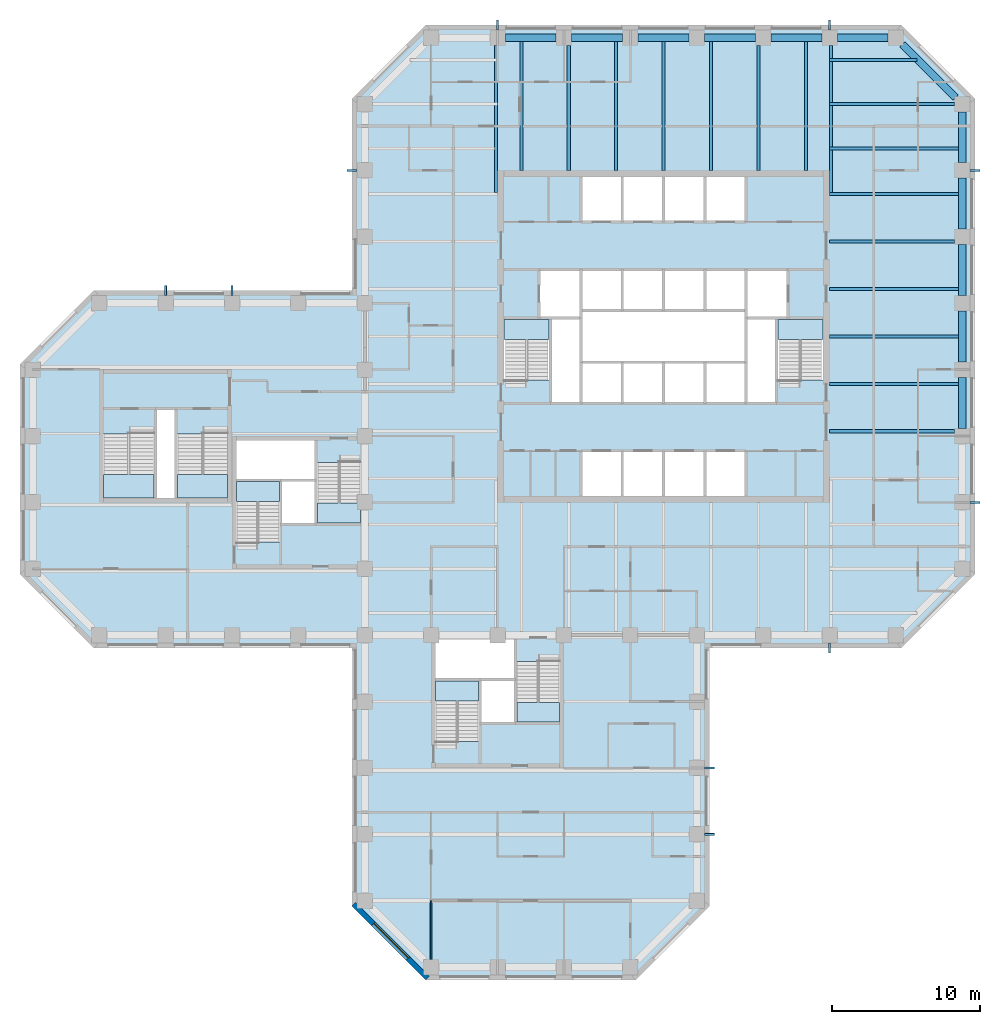
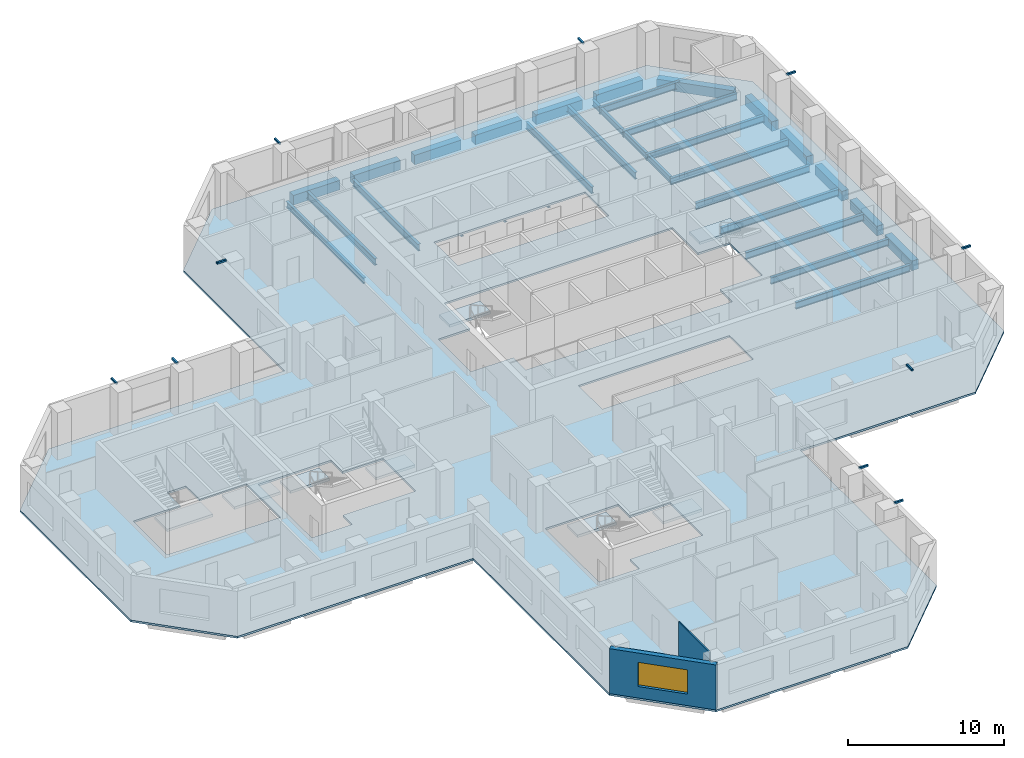
# One storey, part 2 of 11: 40 beams, 9 slabs, 2 walls, 1 window, 1 opening, 8 elements without a shape of their own.
"""IFC4 building model written with IfcOpenShell, lengths in metres."""

import ifcopenshell
import ifcopenshell.guid

model = None  # the IFC model being written
_history = None  # IfcOwnerHistory: only IFC2X3 demands one
_inside = {}  # id of a spatial element -> (the spatial element, [elements in it])
_under = {}  # id of a project, library or spatial element -> (it, [spatial elements below it])
_declared = {}  # id of a project -> (the project, [libraries it declares])
_typed = {}  # id of a type object -> (the type object, [elements of that type])
_made_of = {}  # id of a material, layer set ... -> (it, [elements and type objects made of it])


def new_model(schema):
    """Start an empty IFC model of exactly this schema.

    Asked for "IFC4X3", IfcOpenShell would pick the latest addendum, in which some entities
    have other attributes; the version numbers below select the first issue.
    IFC2X3 requires an IfcOwnerHistory on every rooted entity: one is made here for all.
    """
    global model, _history
    if schema == "IFC4X3":
        model = ifcopenshell.file(schema_version=(4, 3, 0, 0))
    else:
        model = ifcopenshell.file(schema=schema)
    _inside.clear()
    _under.clear()
    _declared.clear()
    _typed.clear()
    _made_of.clear()
    _history = None
    if model.schema == "IFC2X3":
        org = make("IfcOrganization", Name="unknown")
        user = make(
            "IfcPersonAndOrganization",
            ThePerson=make("IfcPerson", FamilyName="unknown"),
            TheOrganization=org,
        )
        app = make(
            "IfcApplication",
            ApplicationDeveloper=org,
            Version="unknown",
            ApplicationFullName="unknown",
            ApplicationIdentifier="unknown",
        )
        _history = make(
            "IfcOwnerHistory",
            OwningUser=user,
            OwningApplication=app,
            ChangeAction="ADDED",
            CreationDate=0,
        )
    return model


def make(cls, **values):
    """One entity of the class cls with the attributes given. An attribute that is None is left unset."""
    return model.create_entity(
        cls, **{name: value for name, value in values.items() if value is not None}
    )


def rooted(cls, **values):
    """An entity with a GlobalId (a new one), such as an element, a storey or a relation."""
    return make(cls, GlobalId=ifcopenshell.guid.new(), OwnerHistory=_history, **values)


def si_unit(unit_type, name, prefix=None):
    """IfcSIUnit, for example si_unit("LENGTHUNIT", "METRE", prefix="MILLI")."""
    return make("IfcSIUnit", UnitType=unit_type, Prefix=prefix, Name=name)


def assignment(units):
    """IfcUnitAssignment: the units of a project."""
    return None if units is None else make("IfcUnitAssignment", Units=units)


def point(xyz):
    """IfcCartesianPoint."""
    return None if xyz is None else make("IfcCartesianPoint", Coordinates=xyz)


def direction(xyz):
    """IfcDirection."""
    return None if xyz is None else make("IfcDirection", DirectionRatios=xyz)


def frame(location, z_axis=None, x_axis=None):
    """IfcAxis2Placement3D, a coordinate frame: its origin and axes. An axis left out is left unset."""
    return make(
        "IfcAxis2Placement3D",
        Location=point(location),
        Axis=direction(z_axis),
        RefDirection=direction(x_axis),
    )


def frame_2d(location, x_axis=None):
    """IfcAxis2Placement2D, a coordinate frame in the plane: its origin and x axis."""
    return make(
        "IfcAxis2Placement2D", Location=point(location), RefDirection=direction(x_axis)
    )


def origin():
    """The frame at (0, 0, 0) with its axes left unset."""
    return frame((0.0, 0.0, 0.0))


def origin_2d():
    """The frame at (0, 0) in the plane with its x axis left unset."""
    return frame_2d((0.0, 0.0))


def place(relative_to, where):
    """IfcLocalPlacement: puts the frame where relative to a parent placement (None: the world)."""
    return make(
        "IfcLocalPlacement", PlacementRelTo=relative_to, RelativePlacement=where
    )


def context(
    kind, dimensions, precision=None, world=None, true_north=None, identifier=None
):
    """IfcGeometricRepresentationContext, for example the 3D "Model" context."""
    return make(
        "IfcGeometricRepresentationContext",
        ContextIdentifier=identifier,
        ContextType=kind,
        CoordinateSpaceDimension=dimensions,
        Precision=precision,
        WorldCoordinateSystem=world,
        TrueNorth=true_north,
    )


def subcontext(parent, identifier, kind, view, scale=None):
    """IfcGeometricRepresentationSubContext, for example "Body" below "Model"."""
    return make(
        "IfcGeometricRepresentationSubContext",
        ContextIdentifier=identifier,
        ContextType=kind,
        ParentContext=parent,
        TargetScale=scale,
        TargetView=view,
    )


def project(units=None, contexts=None):
    """IfcProject with its units and contexts."""
    return rooted(
        "IfcProject",
        Name="project",
        RepresentationContexts=contexts,
        UnitsInContext=assignment(units),
    )


def spatial(cls, under=None, at=None, **own):
    """A site, building, storey or space (cls), placed at a placement, below another one or the project."""
    s = rooted(cls, ObjectPlacement=at, **own)
    if under is not None:
        _under.setdefault(under.id(), (under, []))[1].append(s)
    return s


def polyline(points):
    """IfcPolyline through the points."""
    return make("IfcPolyline", Points=[point(p) for p in points])


def profile(cls, at=None, kind="AREA", **sizes):
    """A parametric profile (cls). Its sizes go by their IFC names, for example OverallWidth=200.0."""
    return make(cls, ProfileType=kind, Position=at, **sizes)


def rectangle(**sizes):
    """IfcRectangleProfileDef."""
    return profile("IfcRectangleProfileDef", **sizes)


def hollow_rectangle(**sizes):
    """IfcRectangleHollowProfileDef."""
    return profile("IfcRectangleHollowProfileDef", **sizes)


def i_section(**sizes):
    """IfcIShapeProfileDef."""
    return profile("IfcIShapeProfileDef", **sizes)


def outline(outer, holes=None, kind="AREA"):
    """IfcArbitraryClosedProfileDef: a profile drawn as a closed curve; with holes, ...WithVoids."""
    if holes is None:
        return make("IfcArbitraryClosedProfileDef", ProfileType=kind, OuterCurve=outer)
    return make(
        "IfcArbitraryProfileDefWithVoids",
        ProfileType=kind,
        OuterCurve=outer,
        InnerCurves=holes,
    )


def extrude(swept, where, along, depth):
    """IfcExtrudedAreaSolid: the profile swept, set in the frame where, extruded along a direction by depth."""
    return make(
        "IfcExtrudedAreaSolid",
        SweptArea=swept,
        Position=where,
        ExtrudedDirection=direction(along),
        Depth=depth,
    )


def shape(context_of_items, identifier, shape_type, items):
    """IfcShapeRepresentation: the items that make up one representation, for example the "Body"."""
    return make(
        "IfcShapeRepresentation",
        ContextOfItems=context_of_items,
        RepresentationIdentifier=identifier,
        RepresentationType=shape_type,
        Items=items,
    )


def material(Name=None, Category=None):
    """IfcMaterial."""
    return make("IfcMaterial", Name=Name, Category=Category)


def layer(
    of_material, thickness, ventilated=None, Name=None, Category=None, Priority=None
):
    """IfcMaterialLayer: one layer of a wall or slab, of a material (None: an air gap)."""
    return make(
        "IfcMaterialLayer",
        Material=of_material,
        LayerThickness=thickness,
        IsVentilated=ventilated,
        Name=Name,
        Category=Category,
        Priority=Priority,
    )


def layer_set(layers, Name=None):
    """IfcMaterialLayerSet."""
    return make("IfcMaterialLayerSet", MaterialLayers=layers, LayerSetName=Name)


def constituent(of_material, Name=None, Category=None, fraction=None):
    """IfcMaterialConstituent: one of the materials an element consists of."""
    return make(
        "IfcMaterialConstituent",
        Name=Name,
        Material=of_material,
        Fraction=fraction,
        Category=Category,
    )


def constituent_set(constituents=None, Name=None):
    """IfcMaterialConstituentSet."""
    return make(
        "IfcMaterialConstituentSet", Name=Name, MaterialConstituents=constituents
    )


def material_profile(
    of_material, cross_section, Name=None, Category=None, Priority=None
):
    """IfcMaterialProfile: a cross section and its material."""
    return make(
        "IfcMaterialProfile",
        Name=Name,
        Material=of_material,
        Profile=cross_section,
        Priority=Priority,
        Category=Category,
    )


def profile_set(profiles, Name=None, composite=None):
    """IfcMaterialProfileSet."""
    return make(
        "IfcMaterialProfileSet",
        Name=Name,
        MaterialProfiles=profiles,
        CompositeProfile=composite,
    )


def made_of(thing, what):
    """Note that an element or type object is made of a material, layer set ...; save() writes the relation."""
    if what is not None:
        _made_of.setdefault(what.id(), (what, []))[1].append(thing)
    return thing


def type_object(cls, material=None, **own):
    """A type object (cls), such as IfcWallType, which elements share."""
    return made_of(rooted(cls, **own), material)


def element(
    cls,
    number,
    at=None,
    inside=None,
    cuts=None,
    type_object=None,
    material=None,
    context=None,
    identifier="Body",
    shape_type=None,
    held_by="IfcProductDefinitionShape",
    body=None,
    shapes=None,
    **own,
):
    """One element of the class cls, such as IfcWall. Its Tag is "e" and its number.

    at: its placement. inside: the storey or other place that contains it. cuts: it is an
    opening in that element (IfcRelVoidsElement). A single representation is given by context,
    identifier, shape_type and body (its items); several are given by shapes. held_by: the class
    of the entity that holds the representations. save() writes the other relations.
    """
    e = rooted(cls, Tag="e%d" % number, ObjectPlacement=at, **own)
    if body is not None:
        shapes = [shape(context, identifier, shape_type, body)]
    if shapes is not None:
        e.Representation = make(held_by, Representations=shapes)
    if inside is not None:
        _inside.setdefault(inside.id(), (inside, []))[1].append(e)
    if cuts is not None:
        rooted(
            "IfcRelVoidsElement", RelatingBuildingElement=cuts, RelatedOpeningElement=e
        )
    if type_object is not None:
        _typed.setdefault(type_object.id(), (type_object, []))[1].append(e)
    return made_of(e, material)


def fill(opening, filler):
    """IfcRelFillsElement: the door or window that sits in an opening."""
    return rooted(
        "IfcRelFillsElement",
        RelatingOpeningElement=opening,
        RelatedBuildingElement=filler,
    )


def aggregate(whole, parts):
    """IfcRelAggregates: a whole, such as a stair, and the parts it consists of."""
    return rooted("IfcRelAggregates", RelatingObject=whole, RelatedObjects=parts)


def save(model, path):
    """Write the relations noted so far, then the file.

    IfcRelAggregates (storeys below a building ...), IfcRelContainedInSpatialStructure (elements
    in a storey), IfcRelDefinesByType, IfcRelAssociatesMaterial and IfcRelDeclares: one each for
    every whole, place, type object, material and project.
    """
    for whole, parts in _under.values():
        aggregate(whole, parts)
    for where, things in _inside.values():
        rooted(
            "IfcRelContainedInSpatialStructure",
            RelatedElements=things,
            RelatingStructure=where,
        )
    for kind, things in _typed.values():
        rooted("IfcRelDefinesByType", RelatedObjects=things, RelatingType=kind)
    for what, things in _made_of.values():
        rooted("IfcRelAssociatesMaterial", RelatedObjects=things, RelatingMaterial=what)
    for by, libraries in _declared.values():
        rooted("IfcRelDeclares", RelatingContext=by, RelatedDefinitions=libraries)
    model.write(path)


model = new_model("IFC4")

# Units and contexts
model_context = context("Model", 3, precision=1e-05, world=origin(), true_north=direction((0.0, 1.0)))
body_context = subcontext(model_context, "Body", "Model", "MODEL_VIEW")
ifc_project = project(units=[si_unit("LENGTHUNIT", "METRE"), si_unit("AREAUNIT", "SQUARE_METRE"), si_unit("VOLUMEUNIT", "CUBIC_METRE"), si_unit("PLANEANGLEUNIT", "RADIAN"), si_unit("MASSUNIT", "GRAM", prefix="KILO")], contexts=[model_context])

# Site, building, storey
site_placement = place(None, origin())
site = spatial("IfcSite", under=ifc_project, at=site_placement, CompositionType="ELEMENT")
building_placement = place(site_placement, origin())
building = spatial("IfcBuilding", under=site, at=building_placement, Name="Quoin Convention Tower", CompositionType="ELEMENT")
storey_placement = place(building_placement, frame((0.0, 0.0, 78.89990234375)))
storey = spatial("IfcBuildingStorey", under=building, at=storey_placement, Name="L20", CompositionType="ELEMENT", Elevation=78.89990234375)

# Beams
ifc_material_1 = material(Name="Steel C450L0", Category="steel")
ifc_material_profile_1 = material_profile(ifc_material_1, hollow_rectangle(XDim=0.14990234375, YDim=0.14990234375, WallThickness=0.008056640625, InnerFilletRadius=0.011962890625, OuterFilletRadius=0.02001953125, at=origin_2d()), Name="150x150x8.0SHS")
ifc_profile_set_1 = profile_set([ifc_material_profile_1], Name="Steel C450L0")
beam_type_1 = type_object("IfcBeamType", Name="150x150x8.0SHS", PredefinedType="BEAM", material=ifc_profile_set_1)
for number, where, z_axis, x_axis, name in (
    (1, (27.0, 63.52490234375, 3.625), (0.0, 1.0, 0.0), (-1.0, 0.0, 0.0), "brk-hi-L17-31500_63000-27000_63000"),
    (2, (22.5, 63.52490234375, 3.625), (0.0, 1.0, 0.0), (-1.0, 0.0, 0.0), "brk-hi-L17-22500_63000-18000_63000"),
    (3, (35.47509765625, 72.0, 3.625), (-1.0, 0.0, 0.0), (0.0, -1.0, 0.0), "brk-hi-L17-36000_76500-36000_72000"),
    (4, (59.02490234375, 27.0, 3.625), (1.0, 0.0, 0.0), (0.0, 1.0, 0.0), "brk-hi-L17-58500_22500-58500_27000"),
    (5, (59.02490234375, 31.5, 3.625), (1.0, 0.0, 0.0), (0.0, 1.0, 0.0), "brk-hi-L17-58500_31500-58500_36000"),
    (6, (67.5, 39.97509765625, 3.625), (0.0, -1.0, 0.0), (1.0, 0.0, 0.0), "brk-hi-L17-63000_40500-67500_40500"),
    (7, (67.5, 81.52490234375, 3.625), (0.0, 1.0, 0.0), (-1.0, 0.0, 0.0), "brk-hi-L17-72000_81000-67500_81000"),
    (8, (45.0, 81.52490234375, 3.625), (0.0, 1.0, 0.0), (-1.0, 0.0, 0.0), "brk-hi-L17-45000_81000-40500_81000"),
    (9, (77.02490234375, 49.5, 3.625), (1.0, 0.0, 0.0), (0.0, 1.0, 0.0), "brk-hi-L17-76500_45000-76500_49500"),
    (10, (77.02490234375, 72.0, 3.625), (1.0, 0.0, 0.0), (0.0, 1.0, 0.0), "brk-hi-L17-76500_72000-76500_76500"),
):
    element("IfcBeam", number, at=place(storey_placement, frame(where, z_axis=z_axis, x_axis=x_axis)), inside=storey, type_object=beam_type_1, Name=name, PredefinedType="BEAM", context=body_context, shape_type="SweptSolid", body=[
        extrude(hollow_rectangle(XDim=0.14990234375, YDim=0.14990234375, WallThickness=0.008056640625, InnerFilletRadius=0.011962890625, OuterFilletRadius=0.02001953125, at=origin_2d()), origin(), (0.0, 0.0, 1.0), 0.675048828125),
    ])
ifc_material_2 = material(Name="Steel Grade 300", Category="steel")
ifc_material_profile_2 = material_profile(ifc_material_2, i_section(OverallWidth=0.18994140625, OverallDepth=0.4541015625, WebThickness=0.008544921875, FlangeThickness=0.0126953125, FilletRadius=0.011474609375, at=origin_2d()), Name="460UB67.1")
ifc_profile_set_2 = profile_set([ifc_material_profile_2], Name="Steel Grade 300")
beam_type_2 = type_object("IfcBeamType", Name="460UB67.1", PredefinedType="BEAM", material=ifc_profile_set_2)
for number, where, z_axis, x_axis, name in (
    (11, (44.8955078125, 80.47509765625, -0.376953125), (0.0, -1.0, 0.0), (1.0, 0.0, 0.0), "gir-L20-T1NW"),
    (12, (67.6044921875, 80.47509765625, -0.376953125), (0.0, -1.0, 0.0), (1.0, 0.0, 0.0), "gir-L20-T1NE"),
):
    element("IfcBeam", number, at=place(storey_placement, frame(where, z_axis=z_axis, x_axis=x_axis)), inside=storey, type_object=beam_type_2, Name=name, PredefinedType="BEAM", context=body_context, shape_type="SweptSolid", body=[
        extrude(i_section(OverallWidth=0.18994140625, OverallDepth=0.4541015625, WebThickness=0.008544921875, FlangeThickness=0.0126953125, FilletRadius=0.011474609375, at=origin_2d()), origin(), (0.0, 0.0, 1.0), 9.977783203125),
    ])
ifc_material_profile_3 = material_profile(ifc_material_2, i_section(OverallWidth=0.208984375, OverallDepth=0.528076171875, WebThickness=0.009521484375, FlangeThickness=0.01318359375, FilletRadius=0.013916015625, at=origin_2d()), Name="530UB82.0")
ifc_profile_set_3 = profile_set([ifc_material_profile_3], Name="Steel Grade 300")
beam_type_3 = type_object("IfcBeamType", Name="530UB82.0", PredefinedType="BEAM", material=ifc_profile_set_3)
beam_1_placement = place(storey_placement, frame((67.5, 54.3212890625, -0.413818359375), z_axis=(1.0, 0.0, 0.0), x_axis=(0.0, 1.0, 0.0)))
element("IfcBeam", 13, at=beam_1_placement, inside=storey, type_object=beam_type_3, Name="bm-L20-T1E1", PredefinedType="BEAM", context=body_context, shape_type="SweptSolid", body=[
    extrude(i_section(OverallWidth=0.208984375, OverallDepth=0.528076171875, WebThickness=0.009521484375, FlangeThickness=0.01318359375, FilletRadius=0.013916015625, at=origin_2d()), origin(), (0.0, 0.0, 1.0), 8.47509765625),
])
for number, where, z_axis, x_axis, name in (
    (14, (67.5, 57.53564453125, -0.413818359375), (1.0, 0.0, 0.0), (0.0, 1.0, 0.0), "bm-L20-T1E2"),
    (15, (67.5, 60.75, -0.413818359375), (1.0, 0.0, 0.0), (0.0, 1.0, 0.0), "bm-L20-T1E3"),
    (16, (67.5, 63.96435546875, -0.413818359375), (1.0, 0.0, 0.0), (0.0, 1.0, 0.0), "bm-L20-T1E4"),
):
    element("IfcBeam", number, at=place(storey_placement, frame(where, z_axis=z_axis, x_axis=x_axis)), inside=storey, type_object=beam_type_3, Name=name, PredefinedType="BEAM", context=body_context, shape_type="SweptSolid", body=[
        extrude(i_section(OverallWidth=0.208984375, OverallDepth=0.528076171875, WebThickness=0.009521484375, FlangeThickness=0.01318359375, FilletRadius=0.013916015625, at=origin_2d()), origin(), (0.0, 0.0, 1.0), 8.75),
    ])
beam_2_placement = place(storey_placement, frame((67.5, 67.1787109375, -0.413818359375), z_axis=(1.0, 0.0, 0.0), x_axis=(0.0, 1.0, 0.0)))
element("IfcBeam", 17, at=beam_2_placement, inside=storey, type_object=beam_type_3, Name="bm-L20-T1E5", PredefinedType="BEAM", context=body_context, shape_type="SweptSolid", body=[
    extrude(i_section(OverallWidth=0.208984375, OverallDepth=0.528076171875, WebThickness=0.009521484375, FlangeThickness=0.01318359375, FilletRadius=0.013916015625, at=origin_2d()), origin(), (0.0, 0.0, 1.0), 8.47509765625),
])
for number, where, z_axis, x_axis, name in (
    (18, (67.5, 70.392822265625, -0.413818359375), (1.0, 0.0, 0.0), (0.0, 1.0, 0.0), "bm-L20-T1E6"),
    (19, (46.607177734375, 72.0, -0.413818359375), (0.0, 1.0, 0.0), (-1.0, 0.0, 0.0), "bm-L20-T1N0"),
):
    element("IfcBeam", number, at=place(storey_placement, frame(where, z_axis=z_axis, x_axis=x_axis)), inside=storey, type_object=beam_type_3, Name=name, PredefinedType="BEAM", context=body_context, shape_type="SweptSolid", body=[
        extrude(i_section(OverallWidth=0.208984375, OverallDepth=0.528076171875, WebThickness=0.009521484375, FlangeThickness=0.01318359375, FilletRadius=0.013916015625, at=origin_2d()), origin(), (0.0, 0.0, 1.0), 8.75),
    ])
beam_3_placement = place(storey_placement, frame((49.8212890625, 72.0, -0.413818359375), z_axis=(0.0, 1.0, 0.0), x_axis=(-1.0, 0.0, 0.0)))
element("IfcBeam", 20, at=beam_3_placement, inside=storey, type_object=beam_type_3, Name="bm-L20-T1N1", PredefinedType="BEAM", context=body_context, shape_type="SweptSolid", body=[
    extrude(i_section(OverallWidth=0.208984375, OverallDepth=0.528076171875, WebThickness=0.009521484375, FlangeThickness=0.01318359375, FilletRadius=0.013916015625, at=origin_2d()), origin(), (0.0, 0.0, 1.0), 8.47509765625),
])
for number, where, z_axis, x_axis, name in (
    (21, (53.03564453125, 72.0, -0.413818359375), (0.0, 1.0, 0.0), (-1.0, 0.0, 0.0), "bm-L20-T1N2"),
    (22, (56.25, 72.0, -0.413818359375), (0.0, 1.0, 0.0), (-1.0, 0.0, 0.0), "bm-L20-T1N3"),
    (23, (59.46435546875, 72.0, -0.413818359375), (0.0, 1.0, 0.0), (-1.0, 0.0, 0.0), "bm-L20-T1N4"),
):
    element("IfcBeam", number, at=place(storey_placement, frame(where, z_axis=z_axis, x_axis=x_axis)), inside=storey, type_object=beam_type_3, Name=name, PredefinedType="BEAM", context=body_context, shape_type="SweptSolid", body=[
        extrude(i_section(OverallWidth=0.208984375, OverallDepth=0.528076171875, WebThickness=0.009521484375, FlangeThickness=0.01318359375, FilletRadius=0.013916015625, at=origin_2d()), origin(), (0.0, 0.0, 1.0), 8.75),
    ])
beam_4_placement = place(storey_placement, frame((62.6787109375, 72.0, -0.413818359375), z_axis=(0.0, 1.0, 0.0), x_axis=(-1.0, 0.0, 0.0)))
element("IfcBeam", 24, at=beam_4_placement, inside=storey, type_object=beam_type_3, Name="bm-L20-T1N5", PredefinedType="BEAM", context=body_context, shape_type="SweptSolid", body=[
    extrude(i_section(OverallWidth=0.208984375, OverallDepth=0.528076171875, WebThickness=0.009521484375, FlangeThickness=0.01318359375, FilletRadius=0.013916015625, at=origin_2d()), origin(), (0.0, 0.0, 1.0), 8.47509765625),
])
beam_5_placement = place(storey_placement, frame((65.892822265625, 72.0, -0.413818359375), z_axis=(0.0, 1.0, 0.0), x_axis=(-1.0, 0.0, 0.0)))
element("IfcBeam", 25, at=beam_5_placement, inside=storey, type_object=beam_type_3, Name="bm-L20-T1N6", PredefinedType="BEAM", context=body_context, shape_type="SweptSolid", body=[
    extrude(i_section(OverallWidth=0.208984375, OverallDepth=0.528076171875, WebThickness=0.009521484375, FlangeThickness=0.01318359375, FilletRadius=0.013916015625, at=origin_2d()), origin(), (0.0, 0.0, 1.0), 8.75),
])
beam_6_placement = place(storey_placement, frame((67.5, 79.5, -0.413818359375), z_axis=(1.0, 0.0, 0.0), x_axis=(0.0, 1.0, 0.0)))
element("IfcBeam", 26, at=beam_6_placement, inside=storey, type_object=beam_type_3, Name="bm-L20-T1NE0", PredefinedType="BEAM", context=body_context, shape_type="SweptSolid", body=[
    extrude(i_section(OverallWidth=0.208984375, OverallDepth=0.528076171875, WebThickness=0.009521484375, FlangeThickness=0.01318359375, FilletRadius=0.013916015625, at=origin_2d()), origin(), (0.0, 0.0, 1.0), 5.927734375),
])
beam_7_placement = place(storey_placement, frame((67.5, 76.5, -0.413818359375), z_axis=(1.0, 0.0, 0.0), x_axis=(0.0, 1.0, 0.0)))
element("IfcBeam", 27, at=beam_7_placement, inside=storey, type_object=beam_type_3, Name="bm-L20-T1NE1", PredefinedType="BEAM", context=body_context, shape_type="SweptSolid", body=[
    extrude(i_section(OverallWidth=0.208984375, OverallDepth=0.528076171875, WebThickness=0.009521484375, FlangeThickness=0.01318359375, FilletRadius=0.013916015625, at=origin_2d()), origin(), (0.0, 0.0, 1.0), 8.47509765625),
])
beam_8_placement = place(storey_placement, frame((67.5, 73.5, -0.413818359375), z_axis=(1.0, 0.0, 0.0), x_axis=(0.0, 1.0, 0.0)))
element("IfcBeam", 28, at=beam_8_placement, inside=storey, type_object=beam_type_3, Name="bm-L20-T1NE2", PredefinedType="BEAM", context=body_context, shape_type="SweptSolid", body=[
    extrude(i_section(OverallWidth=0.208984375, OverallDepth=0.528076171875, WebThickness=0.009521484375, FlangeThickness=0.01318359375, FilletRadius=0.013916015625, at=origin_2d()), origin(), (0.0, 0.0, 1.0), 8.75),
])
ifc_material_3 = material(Name="Concrete C65", Category="concrete")
ifc_material_profile_4 = material_profile(ifc_material_3, rectangle(XDim=0.5, YDim=0.75, at=origin_2d()), Name="RC 500x750")
ifc_profile_set_4 = profile_set([ifc_material_profile_4], Name="Concrete C65")
beam_type_4 = type_object("IfcBeamType", Name="RC 500x750 C65", PredefinedType="SPANDREL", material=ifc_profile_set_4)
for number, where, z_axis, x_axis, name in (
    (29, (76.5, 54.52490234375, -0.52490234375), (0.0, 1.0, 0.0), (-1.0, 0.0, 0.0), "spd-L20-76500_54000-76500_58500"),
    (30, (76.5, 59.02490234375, -0.52490234375), (0.0, 1.0, 0.0), (-1.0, 0.0, 0.0), "spd-L20-76500_58500-76500_63000"),
    (31, (76.5, 63.52490234375, -0.52490234375), (0.0, 1.0, 0.0), (-1.0, 0.0, 0.0), "spd-L20-76500_63000-76500_67500"),
    (32, (76.5, 68.02490234375, -0.52490234375), (0.0, 1.0, 0.0), (-1.0, 0.0, 0.0), "spd-L20-76500_67500-76500_72000"),
    (33, (76.5, 72.52490234375, -0.52490234375), (0.0, 1.0, 0.0), (-1.0, 0.0, 0.0), "spd-L20-76500_72000-76500_76500"),
):
    element("IfcBeam", number, at=place(storey_placement, frame(where, z_axis=z_axis, x_axis=x_axis)), inside=storey, type_object=beam_type_4, Name=name, PredefinedType="SPANDREL", context=body_context, shape_type="SweptSolid", body=[
        extrude(rectangle(XDim=0.5, YDim=0.75, at=origin_2d()), origin(), (0.0, 0.0, 1.0), 3.4501953125),
    ])
beam_9_placement = place(storey_placement, frame((76.059814453125, 76.940185546875, -0.52490234375), z_axis=(-0.707106781187, 0.707106781187, 0.0), x_axis=(-0.707106781187, -0.707106781187, 0.0)))
element("IfcBeam", 34, at=beam_9_placement, inside=storey, type_object=beam_type_4, Name="spd-L20-76500_76500-72000_81000", PredefinedType="SPANDREL", context=body_context, shape_type="SweptSolid", body=[
    extrude(rectangle(XDim=0.5, YDim=0.75, at=origin_2d()), origin(), (0.0, 0.0, 1.0), 5.118896484375),
])
for number, where, z_axis, x_axis, name in (
    (35, (71.47509765625, 81.0, -0.52490234375), (-1.0, 0.0, 0.0), (0.0, -1.0, 0.0), "spd-L20-72000_81000-67500_81000"),
    (36, (66.97509765625, 81.0, -0.52490234375), (-1.0, 0.0, 0.0), (0.0, -1.0, 0.0), "spd-L20-67500_81000-63000_81000"),
    (37, (62.47509765625, 81.0, -0.52490234375), (-1.0, 0.0, 0.0), (0.0, -1.0, 0.0), "spd-L20-63000_81000-58500_81000"),
    (38, (57.97509765625, 81.0, -0.52490234375), (-1.0, 0.0, 0.0), (0.0, -1.0, 0.0), "spd-L20-58500_81000-54000_81000"),
    (39, (53.47509765625, 81.0, -0.52490234375), (-1.0, 0.0, 0.0), (0.0, -1.0, 0.0), "spd-L20-54000_81000-49500_81000"),
    (40, (48.97509765625, 81.0, -0.52490234375), (-1.0, 0.0, 0.0), (0.0, -1.0, 0.0), "spd-L20-49500_81000-45000_81000"),
):
    element("IfcBeam", number, at=place(storey_placement, frame(where, z_axis=z_axis, x_axis=x_axis)), inside=storey, type_object=beam_type_4, Name=name, PredefinedType="SPANDREL", context=body_context, shape_type="SweptSolid", body=[
        extrude(rectangle(XDim=0.5, YDim=0.75, at=origin_2d()), origin(), (0.0, 0.0, 1.0), 3.4501953125),
    ])

# Slab
ifc_material_4 = material(Name="Concrete C40", Category="concrete")
ifc_layer_1 = layer(ifc_material_4, 0.14990234375)
ifc_layer_set_1 = layer_set([ifc_layer_1], Name="Concrete C40")
slab_type_1 = type_object("IfcSlabType", Name="COMPOSITE SLAB 150 C40", PredefinedType="FLOOR", material=ifc_layer_set_1)
slab_1_placement = place(storey_placement, frame((0.0, 0.0, -0.14990234375)))
element("IfcSlab", 41, at=slab_1_placement, inside=storey, type_object=slab_type_1, Name="slb-L20", PredefinedType="FLOOR", context=body_context, shape_type="SweptSolid", body=[
    extrude(outline(polyline([(59.375, 22.1376953125), (54.3623046875, 17.125), (40.1376953125, 17.125), (35.125, 22.1376953125), (35.125, 39.625), (17.6376953125, 39.625), (12.625, 44.6376953125), (12.625, 58.8623046875), (17.6376953125, 63.875), (35.125, 63.875), (35.125, 76.8623046875), (40.1376953125, 81.875), (72.3623046875, 81.875), (77.375, 76.8623046875), (77.375, 44.6376953125), (72.3623046875, 39.625), (59.375, 39.625), (59.375, 22.1376953125)]), holes=[polyline([(40.800048828125, 40.199951171875), (40.800048828125, 37.5), (40.800048828125, 33.300537109375), (43.800048828125, 33.300537109375), (43.800048828125, 34.5), (46.199951171875, 34.5), (49.199951171875, 34.5), (49.199951171875, 38.699462890625), (46.199951171875, 38.699462890625), (46.199951171875, 40.199951171875), (40.800048828125, 40.199951171875)]), polyline([(35.699951171875, 52.199462890625), (32.699951171875, 52.199462890625), (32.699951171875, 53.699951171875), (27.300048828125, 53.699951171875), (27.300048828125, 51.0), (27.300048828125, 46.800537109375), (30.300048828125, 46.800537109375), (30.300048828125, 48.0), (32.699951171875, 48.0), (35.699951171875, 48.0), (35.699951171875, 52.199462890625)]), polyline([(53.449951171875, 49.949951171875), (56.25, 49.949951171875), (59.050048828125, 49.949951171875), (61.85009765625, 49.949951171875), (61.85009765625, 53.0), (59.050048828125, 53.0), (56.25, 53.0), (53.449951171875, 53.0), (50.64990234375, 53.0), (50.64990234375, 49.949951171875), (53.449951171875, 49.949951171875)]), polyline([(21.800048828125, 55.85009765625), (21.800048828125, 54.1494140625), (18.300048828125, 54.1494140625), (18.300048828125, 49.800048828125), (21.800048828125, 49.800048828125), (23.199951171875, 49.800048828125), (26.699951171875, 49.800048828125), (26.699951171875, 54.1494140625), (23.199951171875, 54.1494140625), (23.199951171875, 55.85009765625), (21.800048828125, 55.85009765625)]), polyline([(48.60009765625, 57.800537109375), (48.60009765625, 56.199951171875), (50.64990234375, 56.199951171875), (53.449951171875, 56.199951171875), (56.25, 56.199951171875), (59.050048828125, 56.199951171875), (61.85009765625, 56.199951171875), (63.89990234375, 56.199951171875), (63.89990234375, 57.800537109375), (67.050048828125, 57.800537109375), (67.050048828125, 62.0), (64.699951171875, 62.0), (64.699951171875, 65.300048828125), (61.85009765625, 65.300048828125), (59.050048828125, 65.300048828125), (56.25, 65.300048828125), (53.449951171875, 65.300048828125), (50.64990234375, 65.300048828125), (47.800048828125, 65.300048828125), (47.800048828125, 62.0), (45.449951171875, 62.0), (45.449951171875, 57.800537109375), (48.60009765625, 57.800537109375)]), polyline([(50.64990234375, 68.5), (53.449951171875, 68.5), (56.25, 68.5), (59.050048828125, 68.5), (61.85009765625, 68.5), (61.85009765625, 71.550048828125), (59.050048828125, 71.550048828125), (56.25, 71.550048828125), (53.449951171875, 71.550048828125), (50.64990234375, 71.550048828125), (50.64990234375, 68.5)])]), origin(), (0.0, 0.0, 1.0), 0.14990234375),
])

# Stair, slab
stair_type_1 = type_object("IfcStairType", Name="Exit stair two-flight 1350", PredefinedType="HALF_TURN_STAIR", material=ifc_material_4)
stair_1_placement = place(storey_placement, origin())
stair_1 = element("IfcStair", 42, at=stair_1_placement, inside=storey, type_object=stair_type_1, Name="SD1 L20", PredefinedType="HALF_TURN_STAIR")
ifc_layer_2 = layer(ifc_material_4, 0.199951171875)
ifc_layer_set_2 = layer_set([ifc_layer_2], Name="Concrete C40")
slab_type_2 = type_object("IfcSlabType", Name="Stair landing 200", PredefinedType="LANDING", material=ifc_layer_set_2)
slab_2_placement = place(storey_placement, frame((0.0, 0.0, 1.79248046875)))
slab_2 = element("IfcSlab", 43, at=slab_2_placement, type_object=slab_type_2, Name="ST1 landing 1", PredefinedType="LANDING", context=body_context, shape_type="SweptSolid", body=[
    extrude(outline(polyline([(45.449951171875, 60.550048828125), (48.5, 60.550048828125), (48.5, 61.89990234375), (45.449951171875, 61.89990234375), (45.449951171875, 60.550048828125)])), origin(), (0.0, 0.0, 1.0), 0.199951171875),
])
aggregate(stair_1, [slab_2])

stair_2_placement = place(storey_placement, origin())
stair_2 = element("IfcStair", 44, at=stair_2_placement, inside=storey, type_object=stair_type_1, Name="SD2 L20", PredefinedType="HALF_TURN_STAIR")
slab_3_placement = place(storey_placement, frame((0.0, 0.0, 1.79248046875)))
slab_3 = element("IfcSlab", 45, at=slab_3_placement, type_object=slab_type_2, Name="ST2 landing 1", PredefinedType="LANDING", context=body_context, shape_type="SweptSolid", body=[
    extrude(outline(polyline([(64.0, 60.550048828125), (67.050048828125, 60.550048828125), (67.050048828125, 61.89990234375), (64.0, 61.89990234375), (64.0, 60.550048828125)])), origin(), (0.0, 0.0, 1.0), 0.199951171875),
])
aggregate(stair_2, [slab_3])

stair_3_placement = place(storey_placement, origin())
stair_3 = element("IfcStair", 46, at=stair_3_placement, inside=storey, type_object=stair_type_1, Name="SD3 L20", PredefinedType="HALF_TURN_STAIR")
slab_4_placement = place(storey_placement, frame((0.0, 0.0, 1.79248046875)))
slab_4 = element("IfcSlab", 47, at=slab_4_placement, type_object=slab_type_2, Name="ST3 landing 1", PredefinedType="LANDING", context=body_context, shape_type="SweptSolid", body=[
    extrude(outline(polyline([(27.300048828125, 49.550048828125), (30.199951171875, 49.550048828125), (30.199951171875, 50.89990234375), (27.300048828125, 50.89990234375), (27.300048828125, 49.550048828125)])), origin(), (0.0, 0.0, 1.0), 0.199951171875),
])
aggregate(stair_3, [slab_4])

stair_4_placement = place(storey_placement, origin())
stair_4 = element("IfcStair", 48, at=stair_4_placement, inside=storey, type_object=stair_type_1, Name="SD4 L20", PredefinedType="HALF_TURN_STAIR")
slab_5_placement = place(storey_placement, frame((0.0, 0.0, 1.79248046875)))
slab_5 = element("IfcSlab", 49, at=slab_5_placement, type_object=slab_type_2, Name="ST4 landing 1", PredefinedType="LANDING", context=body_context, shape_type="SweptSolid", body=[
    extrude(outline(polyline([(35.699951171875, 49.449951171875), (32.800048828125, 49.449951171875), (32.800048828125, 48.10009765625), (35.699951171875, 48.10009765625), (35.699951171875, 49.449951171875)])), origin(), (0.0, 0.0, 1.0), 0.199951171875),
])
aggregate(stair_4, [slab_5])

stair_5_placement = place(storey_placement, origin())
stair_5 = element("IfcStair", 50, at=stair_5_placement, inside=storey, type_object=stair_type_1, Name="SD5 L20", PredefinedType="HALF_TURN_STAIR")
slab_6_placement = place(storey_placement, frame((0.0, 0.0, 1.79248046875)))
slab_6 = element("IfcSlab", 51, at=slab_6_placement, type_object=slab_type_2, Name="ST5 landing 1", PredefinedType="LANDING", context=body_context, shape_type="SweptSolid", body=[
    extrude(outline(polyline([(40.800048828125, 36.050048828125), (43.699951171875, 36.050048828125), (43.699951171875, 37.39990234375), (40.800048828125, 37.39990234375), (40.800048828125, 36.050048828125)])), origin(), (0.0, 0.0, 1.0), 0.199951171875),
])
aggregate(stair_5, [slab_6])

stair_6_placement = place(storey_placement, origin())
stair_6 = element("IfcStair", 52, at=stair_6_placement, inside=storey, type_object=stair_type_1, Name="SD6 L20", PredefinedType="HALF_TURN_STAIR")
slab_7_placement = place(storey_placement, frame((0.0, 0.0, 1.79248046875)))
slab_7 = element("IfcSlab", 53, at=slab_7_placement, type_object=slab_type_2, Name="ST6 landing 1", PredefinedType="LANDING", context=body_context, shape_type="SweptSolid", body=[
    extrude(outline(polyline([(49.199951171875, 35.949951171875), (46.300048828125, 35.949951171875), (46.300048828125, 34.60009765625), (49.199951171875, 34.60009765625), (49.199951171875, 35.949951171875)])), origin(), (0.0, 0.0, 1.0), 0.199951171875),
])
aggregate(stair_6, [slab_7])

stair_type_2 = type_object("IfcStairType", Name="Exit stair two-flight 1600", PredefinedType="HALF_TURN_STAIR", material=ifc_material_4)
stair_7_placement = place(storey_placement, origin())
stair_7 = element("IfcStair", 54, at=stair_7_placement, inside=storey, type_object=stair_type_2, Name="SD11 L20", PredefinedType="HALF_TURN_STAIR")
slab_8_placement = place(storey_placement, frame((0.0, 0.0, 1.79248046875)))
slab_8 = element("IfcSlab", 55, at=slab_8_placement, type_object=slab_type_2, Name="ST11 landing 1", PredefinedType="LANDING", context=body_context, shape_type="SweptSolid", body=[
    extrude(outline(polyline([(21.699951171875, 51.39990234375), (18.300048828125, 51.39990234375), (18.300048828125, 49.800048828125), (21.699951171875, 49.800048828125), (21.699951171875, 51.39990234375)])), origin(), (0.0, 0.0, 1.0), 0.199951171875),
])
aggregate(stair_7, [slab_8])

stair_8_placement = place(storey_placement, origin())
stair_8 = element("IfcStair", 56, at=stair_8_placement, inside=storey, type_object=stair_type_2, Name="SD12 L20", PredefinedType="HALF_TURN_STAIR")
slab_9_placement = place(storey_placement, frame((0.0, 0.0, 1.79248046875)))
slab_9 = element("IfcSlab", 57, at=slab_9_placement, type_object=slab_type_2, Name="ST12 landing 1", PredefinedType="LANDING", context=body_context, shape_type="SweptSolid", body=[
    extrude(outline(polyline([(26.699951171875, 51.39990234375), (23.300048828125, 51.39990234375), (23.300048828125, 49.800048828125), (26.699951171875, 49.800048828125), (26.699951171875, 51.39990234375)])), origin(), (0.0, 0.0, 1.0), 0.199951171875),
])
aggregate(stair_8, [slab_9])

# Wall, opening, window
ifc_material_5 = material(Name="Brick masonry", Category="masonry")
ifc_layer_3 = layer(ifc_material_5, 0.35009765625)
ifc_layer_set_3 = layer_set([ifc_layer_3], Name="Brick masonry")
wall_type_1 = type_object("IfcWallType", Name="Brick facade wall", PredefinedType="STANDARD", material=ifc_layer_set_3)
wall_1_placement = place(storey_placement, frame((35.248779296875, 22.26123046875, 0.0), z_axis=(0.0, 0.0, 1.0), x_axis=(0.707106781187, -0.707106781187, 0.0)))
wall_1 = element("IfcWall", 58, at=wall_1_placement, inside=storey, type_object=wall_type_1, Name="fw-L20-36000_22500", PredefinedType="STANDARD", context=body_context, shape_type="SweptSolid", body=[
    extrude(rectangle(XDim=7.088623046875, YDim=0.35009765625, at=frame_2d((3.54443359375, 0.0))), origin(), (0.0, 0.0, 1.0), 3.525146484375),
])
opening_placement = place(wall_1_placement, frame((1.894287109375, 0.0, 0.89990234375)))
opening = element("IfcOpeningElement", 59, at=opening_placement, cuts=wall_1, Name="Opening W-02", PredefinedType="OPENING", context=body_context, shape_type="SweptSolid", body=[
    extrude(rectangle(XDim=3.300048828125, YDim=1.89990234375, at=frame_2d((1.64990234375, 0.949951171875))), frame((0.0, 0.18505859375, 0.0), z_axis=(0.0, -1.0, 0.0), x_axis=(1.0, 0.0, 0.0)), (0.0, 0.0, 1.0), 0.3701171875),
])
ifc_material_6 = material(Name="Aluminium", Category="aluminium")
ifc_constituent_1 = constituent(ifc_material_6, Name="Frame")
ifc_material_7 = material(Name="Insulated glass", Category="glass")
ifc_constituent_2 = constituent(ifc_material_7, Name="Glazing")
ifc_constituent_set = constituent_set(constituents=[ifc_constituent_1, ifc_constituent_2], Name="Aluminium")
window_type = type_object("IfcWindowType", Name="Office window", PartitioningType="DOUBLE_PANEL_VERTICAL", PredefinedType="WINDOW", material=ifc_constituent_set)
window_placement = place(opening_placement, origin())
window = element("IfcWindow", 60, at=window_placement, inside=storey, type_object=window_type, Name="win-L20-37755_19755", OverallHeight=1.89990234375, OverallWidth=3.300048828125, PartitioningType="SINGLE_PANEL", PredefinedType="WINDOW", context=body_context, shape_type="SweptSolid", body=[
    extrude(rectangle(XDim=3.300048828125, YDim=1.89990234375, at=frame_2d((1.64990234375, 0.949951171875))), frame((0.0, 0.0849609375, 0.0), z_axis=(0.0, -1.0, 0.0), x_axis=(1.0, 0.0, 0.0)), (0.0, 0.0, 1.0), 0.06005859375),
])
fill(opening, window)

# Wall
ifc_material_8 = material(Name="Plasterboard")
ifc_layer_4 = layer(ifc_material_8, 0.012451171875, Name="Finish")
ifc_material_9 = material(Name="Steel stud framing", Category="steel")
ifc_layer_5 = layer(ifc_material_9, 0.074951171875, Name="Structure")
ifc_layer_6 = layer(ifc_material_8, 0.012451171875, Name="Finish")
ifc_layer_set_4 = layer_set([ifc_layer_4, ifc_layer_5, ifc_layer_6], Name="Steel stud framing")
wall_type_2 = type_object("IfcWallType", Name="Stud partition 100", PredefinedType="PARTITIONING", material=ifc_layer_set_4)
wall_2_placement = place(storey_placement, frame((40.5, 18.52490234375, 0.0), z_axis=(0.0, 0.0, 1.0), x_axis=(0.0, 1.0, 0.0)))
element("IfcWall", 61, at=wall_2_placement, inside=storey, type_object=wall_type_2, Name="pw-L20-065", PredefinedType="PARTITIONING", context=body_context, shape_type="SweptSolid", body=[
    extrude(rectangle(XDim=3.97509765625, YDim=0.10009765625, at=frame_2d((1.987548828125, 0.0))), origin(), (0.0, 0.0, 1.0), 3.550048828125),
])

save(model, "model.ifc")
